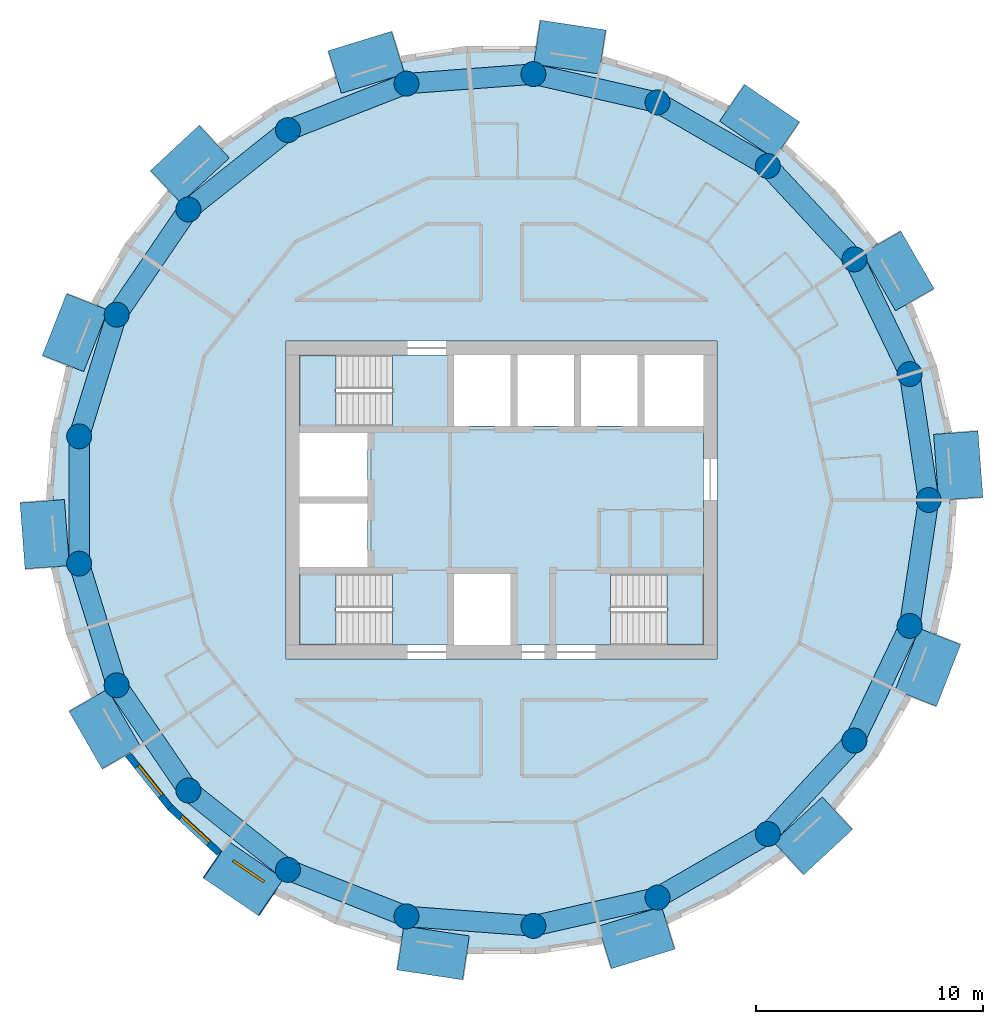
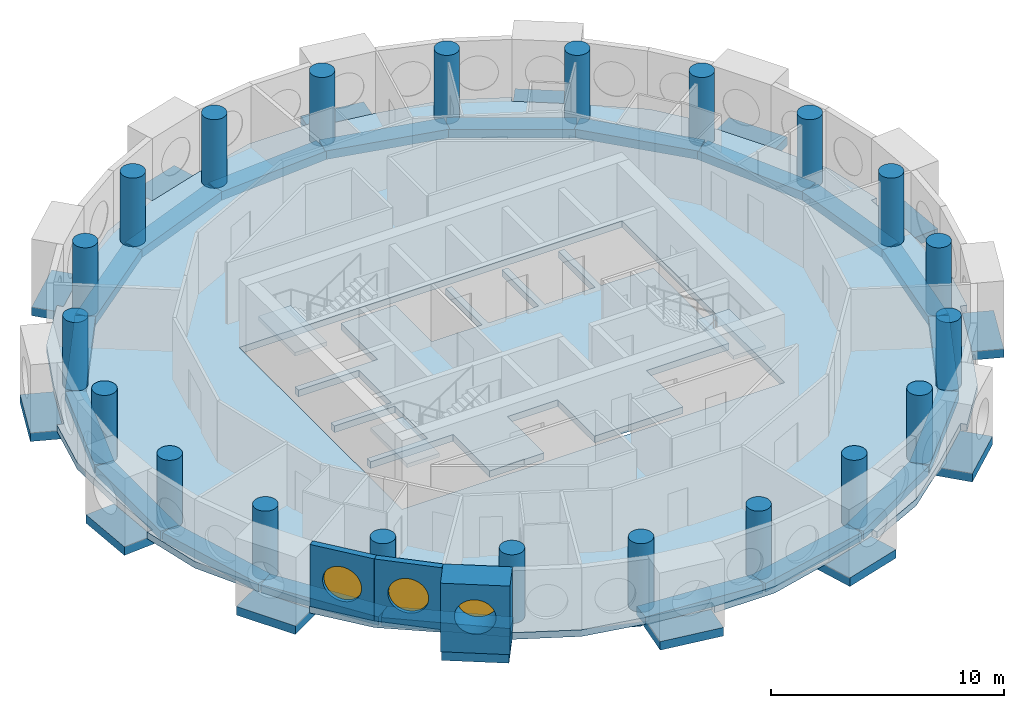
# One storey, part 1 of 13: 35 beams, 21 columns, 5 slabs, 3 walls, 3 windows, 3 openings, 3 elements without a shape of their own.
"""IFC4 building model written with IfcOpenShell, lengths in metres."""

from ifc_helpers import new_model, si_unit, direction, frame, frame_2d, origin, origin_2d, place, context, subcontext, project, spatial, polyline, rectangle, circle, outline, extrude, material, layer, layer_set, material_profile, profile_set, type_object, element, fill, aggregate, save


model = new_model("IFC4")

# Units and contexts
model_context = context("Model", 3, precision=1e-05, world=origin(), true_north=direction((0.0, 1.0)))
body_context = subcontext(model_context, "Body", "Model", "MODEL_VIEW")
ifc_project = project(units=[si_unit("LENGTHUNIT", "METRE"), si_unit("AREAUNIT", "SQUARE_METRE"), si_unit("VOLUMEUNIT", "CUBIC_METRE"), si_unit("PLANEANGLEUNIT", "RADIAN"), si_unit("MASSUNIT", "GRAM", prefix="KILO")], contexts=[model_context])

# Site, building, storey
site_placement = place(None, origin())
site = spatial("IfcSite", under=ifc_project, at=site_placement, CompositionType="ELEMENT")
building_placement = place(site_placement, origin())
building = spatial("IfcBuilding", under=site, at=building_placement, Name="Tracery Tower", CompositionType="ELEMENT")
storey_placement = place(building_placement, frame((0.0, 0.0, 252.60009765625)))
storey = spatial("IfcBuildingStorey", under=building, at=storey_placement, Name="L65", CompositionType="ELEMENT", Elevation=252.60009765625)

# Columns
ifc_material_1 = material(Name="Concrete C40/50", Category="concrete")
ifc_material_profile_1 = material_profile(ifc_material_1, circle(Radius=0.550048828125, at=origin_2d()), Name="RC D1100")
ifc_profile_set_1 = profile_set([ifc_material_profile_1], Name="Concrete C40/50")
column_type = type_object("IfcColumnType", Name="Ring 2 column 1100", PredefinedType="COLUMN", material=ifc_profile_set_1)
for number, where, z_axis, x_axis, name in (
    (1, (18.822265625, 0.0, 0.0), (0.0, 0.0, 1.0), (1.0, 0.0, 0.0), "Ring 2 column 00 at L65"),
    (2, (17.986083984375, 5.5478515625, 0.0), (0.0, 0.0, 1.0), (1.0, 0.0, 0.0), "Ring 2 column 01 at L65"),
    (3, (15.551513671875, 10.602783203125, 0.0), (0.0, 0.0, 1.0), (1.0, 0.0, 0.0), "Ring 2 column 02 at L65"),
    (4, (11.7353515625, 14.7158203125, 0.0), (0.0, 0.0, 1.0), (1.0, 0.0, 0.0), "Ring 2 column 03 at L65"),
    (5, (6.87646484375, 17.52099609375, 0.0), (0.0, 0.0, 1.0), (1.0, 0.0, 0.0), "Ring 2 column 04 at L65"),
    (6, (1.406494140625, 18.76953125, 0.0), (0.0, 0.0, 1.0), (1.0, 0.0, 0.0), "Ring 2 column 05 at L65"),
    (7, (-4.188232421875, 18.350341796875, 0.0), (0.0, 0.0, 1.0), (1.0, 0.0, 0.0), "Ring 2 column 06 at L65"),
    (8, (-9.4111328125, 16.300537109375, 0.0), (0.0, 0.0, 1.0), (1.0, 0.0, 0.0), "Ring 2 column 07 at L65"),
    (9, (-13.797607421875, 12.802490234375, 0.0), (0.0, 0.0, 1.0), (1.0, 0.0, 0.0), "Ring 2 column 08 at L65"),
    (10, (-16.958251953125, 8.16650390625, 0.0), (0.0, 0.0, 1.0), (1.0, 0.0, 0.0), "Ring 2 column 09 at L65"),
    (11, (-18.612060546875, 2.805419921875, 0.0), (0.0, 0.0, 1.0), (1.0, 0.0, 0.0), "Ring 2 column 10 at L65"),
    (12, (-18.612060546875, -2.805419921875, 0.0), (0.0, 0.0, 1.0), (1.0, 0.0, 0.0), "Ring 2 column 11 at L65"),
    (13, (-16.958251953125, -8.166748046875, 0.0), (0.0, 0.0, 1.0), (1.0, 0.0, 0.0), "Ring 2 column 12 at L65"),
    (14, (-13.797607421875, -12.80224609375, 0.0), (0.0, 0.0, 1.0), (1.0, 0.0, 0.0), "Ring 2 column 13 at L65"),
    (15, (-9.4111328125, -16.300537109375, 0.0), (0.0, 0.0, 1.0), (1.0, 0.0, 0.0), "Ring 2 column 14 at L65"),
    (16, (-4.188232421875, -18.350341796875, 0.0), (0.0, 0.0, 1.0), (1.0, 0.0, 0.0), "Ring 2 column 15 at L65"),
    (17, (1.406494140625, -18.76953125, 0.0), (0.0, 0.0, 1.0), (1.0, 0.0, 0.0), "Ring 2 column 16 at L65"),
    (18, (6.87646484375, -17.52099609375, 0.0), (0.0, 0.0, 1.0), (1.0, 0.0, 0.0), "Ring 2 column 17 at L65"),
    (19, (11.7353515625, -14.7158203125, 0.0), (0.0, 0.0, 1.0), (1.0, 0.0, 0.0), "Ring 2 column 18 at L65"),
    (20, (15.551513671875, -10.602783203125, 0.0), (0.0, 0.0, 1.0), (1.0, 0.0, 0.0), "Ring 2 column 19 at L65"),
    (21, (17.986083984375, -5.5478515625, 0.0), (0.0, 0.0, 1.0), (1.0, 0.0, 0.0), "Ring 2 column 20 at L65"),
):
    element("IfcColumn", number, at=place(storey_placement, frame(where, z_axis=z_axis, x_axis=x_axis)), inside=storey, type_object=column_type, Name=name, PredefinedType="COLUMN", context=body_context, shape_type="SweptSolid", body=[
        extrude(circle(Radius=0.550048828125, at=origin_2d()), origin(), (0.0, 0.0, 1.0), 3.599853515625),
    ])

# Beams
ifc_material_2 = material(Name="Concrete C40/50", Category="concrete")
ifc_material_profile_2 = material_profile(ifc_material_2, rectangle(XDim=1.9599609375, YDim=0.449951171875, at=origin_2d()), Name="RC 1960x450")
ifc_profile_set_2 = profile_set([ifc_material_profile_2], Name="Concrete C40/50")
beam_type_1 = type_object("IfcBeamType", Name="Bay seat beam 1960 x 450", PredefinedType="BEAM", material=ifc_profile_set_2)
for number, where, z_axis, x_axis, name in (
    (22, (20.23876953125, 0.052490234375, -0.5751953125), (-0.074746299058, 0.997202582617, 0.0), (-0.997202582617, -0.074746299058, 0.0), "Bay seat beam 1 at L65"),
    (23, (18.211669921875, 8.82861328125, -0.5751953125), (-0.49998782916, 0.866032430508, 0.0), (-0.866032430508, -0.49998782916, 0.0), "Bay seat beam 4 at L65"),
):
    element("IfcBeam", number, at=place(storey_placement, frame(where, z_axis=z_axis, x_axis=x_axis)), inside=storey, type_object=beam_type_1, Name=name, PredefinedType="BEAM", context=body_context, shape_type="SweptSolid", body=[
        extrude(rectangle(XDim=1.9599609375, YDim=0.449951171875, at=origin_2d()), origin(), (0.0, 0.0, 1.0), 2.919921875),
    ])
beam_1_placement = place(storey_placement, frame((12.57763671875, 15.85595703125, -0.5751953125), z_axis=(-0.826243261144, 0.56331347704, 0.0), x_axis=(-0.56331347704, -0.826243261144, 0.0)))
element("IfcBeam", 24, at=beam_1_placement, inside=storey, type_object=beam_type_1, Name="Bay seat beam 7 at L65", PredefinedType="BEAM", context=body_context, shape_type="SweptSolid", body=[
    extrude(rectangle(XDim=1.9599609375, YDim=0.449951171875, at=origin_2d()), origin(), (0.0, 0.0, 1.0), 2.920166015625),
])
for number, where, z_axis, x_axis, name in (
    (25, (4.4521484375, 19.742919921875, -0.5751953125), (-0.988824450672, 0.149084559069, 0.0), (-0.149084559069, -0.988824450672, 0.0), "Bay seat beam 10 at L65"),
    (26, (-4.554931640625, 19.7197265625, -0.5751953125), (-0.955550927928, -0.294826091343, 0.0), (0.294826091343, -0.955550927928, 0.0), "Bay seat beam 13 at L65"),
):
    element("IfcBeam", number, at=place(storey_placement, frame(where, z_axis=z_axis, x_axis=x_axis)), inside=storey, type_object=beam_type_1, Name=name, PredefinedType="BEAM", context=body_context, shape_type="SweptSolid", body=[
        extrude(rectangle(XDim=1.9599609375, YDim=0.449951171875, at=origin_2d()), origin(), (0.0, 0.0, 1.0), 2.919921875),
    ])
for number, where, z_axis, x_axis, name in (
    (27, (-12.65966796875, 15.79052734375, -0.5751953125), (-0.733073344016, -0.680149595526, 0.0), (0.680149595526, -0.733073344016, 0.0), "Bay seat beam 16 at L65"),
    (28, (-18.25732421875, 8.73388671875, -0.5751953125), (-0.365285021376, -0.930895726254, 0.0), (0.930895726254, -0.365285021376, 0.0), "Bay seat beam 19 at L65"),
):
    element("IfcBeam", number, at=place(storey_placement, frame(where, z_axis=z_axis, x_axis=x_axis)), inside=storey, type_object=beam_type_1, Name=name, PredefinedType="BEAM", context=body_context, shape_type="SweptSolid", body=[
        extrude(rectangle(XDim=1.9599609375, YDim=0.449951171875, at=origin_2d()), origin(), (0.0, 0.0, 1.0), 2.920166015625),
    ])
for number, where, z_axis, x_axis, name in (
    (29, (-20.23876953125, -0.052490234375, -0.5751953125), (0.074746299058, -0.997202582617, 0.0), (0.997202582617, 0.074746299058, 0.0), "Bay seat beam 22 at L65"),
    (30, (-18.211669921875, -8.82861328125, -0.5751953125), (0.49998782916, -0.866032430508, 0.0), (0.866032430508, 0.49998782916, 0.0), "Bay seat beam 25 at L65"),
):
    element("IfcBeam", number, at=place(storey_placement, frame(where, z_axis=z_axis, x_axis=x_axis)), inside=storey, type_object=beam_type_1, Name=name, PredefinedType="BEAM", context=body_context, shape_type="SweptSolid", body=[
        extrude(rectangle(XDim=1.9599609375, YDim=0.449951171875, at=origin_2d()), origin(), (0.0, 0.0, 1.0), 2.919921875),
    ])
beam_2_placement = place(storey_placement, frame((-12.57763671875, -15.85595703125, -0.5751953125), z_axis=(0.826243261144, -0.56331347704, 0.0), x_axis=(0.56331347704, 0.826243261144, 0.0)))
element("IfcBeam", 31, at=beam_2_placement, inside=storey, type_object=beam_type_1, Name="Bay seat beam 28 at L65", PredefinedType="BEAM", context=body_context, shape_type="SweptSolid", body=[
    extrude(rectangle(XDim=1.9599609375, YDim=0.449951171875, at=origin_2d()), origin(), (0.0, 0.0, 1.0), 2.920166015625),
])
for number, where, z_axis, x_axis, name in (
    (32, (-4.4521484375, -19.742919921875, -0.5751953125), (0.988824450672, -0.149084559069, 0.0), (0.149084559069, 0.988824450672, 0.0), "Bay seat beam 31 at L65"),
    (33, (4.554931640625, -19.7197265625, -0.5751953125), (0.955550927928, 0.294826091343, 0.0), (-0.294826091343, 0.955550927928, 0.0), "Bay seat beam 34 at L65"),
):
    element("IfcBeam", number, at=place(storey_placement, frame(where, z_axis=z_axis, x_axis=x_axis)), inside=storey, type_object=beam_type_1, Name=name, PredefinedType="BEAM", context=body_context, shape_type="SweptSolid", body=[
        extrude(rectangle(XDim=1.9599609375, YDim=0.449951171875, at=origin_2d()), origin(), (0.0, 0.0, 1.0), 2.919921875),
    ])
for number, where, z_axis, x_axis, name in (
    (34, (12.65966796875, -15.79052734375, -0.5751953125), (0.733073344016, 0.680149595526, 0.0), (-0.680149595526, 0.733073344016, 0.0), "Bay seat beam 37 at L65"),
    (35, (18.25732421875, -8.73388671875, -0.5751953125), (0.365285021376, 0.930895726254, 0.0), (-0.930895726254, 0.365285021376, 0.0), "Bay seat beam 40 at L65"),
):
    element("IfcBeam", number, at=place(storey_placement, frame(where, z_axis=z_axis, x_axis=x_axis)), inside=storey, type_object=beam_type_1, Name=name, PredefinedType="BEAM", context=body_context, shape_type="SweptSolid", body=[
        extrude(rectangle(XDim=1.9599609375, YDim=0.449951171875, at=origin_2d()), origin(), (0.0, 0.0, 1.0), 2.920166015625),
    ])
ifc_material_3 = material(Name="Concrete C40/50", Category="concrete")
ifc_material_profile_3 = material_profile(ifc_material_3, rectangle(XDim=0.89990234375, YDim=0.449951171875, at=origin_2d()), Name="RC 900x450")
ifc_profile_set_3 = profile_set([ifc_material_profile_3], Name="Concrete C40/50")
beam_type_2 = type_object("IfcBeamType", Name="Perimeter band beam 900x450", PredefinedType="BEAM", material=ifc_profile_set_3)
for number, where, z_axis, x_axis, name in (
    (36, (18.822265625, 0.0, -0.5751953125), (-0.149038355855, 0.988831415603, 0.0), (-0.988831415603, -0.149038355855, 0.0), "Perimeter beam 2.00 under L65"),
    (37, (17.986083984375, 5.5478515625, -0.5751953125), (-0.433918973155, 0.900951899235, 0.0), (-0.900951899235, -0.433918973155, 0.0), "Perimeter beam 2.01 under L65"),
):
    element("IfcBeam", number, at=place(storey_placement, frame(where, z_axis=z_axis, x_axis=x_axis)), inside=storey, type_object=beam_type_2, Name=name, PredefinedType="BEAM", context=body_context, shape_type="SweptSolid", body=[
        extrude(rectangle(XDim=0.89990234375, YDim=0.449951171875, at=origin_2d()), origin(), (0.0, 0.0, 1.0), 5.610595703125),
    ])
beam_3_placement = place(storey_placement, frame((15.551513671875, 10.602783203125, -0.5751953125), z_axis=(-0.680155630824, 0.733067744386, 0.0), x_axis=(-0.733067744386, -0.680155630824, 0.0)))
element("IfcBeam", 38, at=beam_3_placement, inside=storey, type_object=beam_type_2, Name="Perimeter beam 2.02 under L65", PredefinedType="BEAM", context=body_context, shape_type="SweptSolid", body=[
    extrude(rectangle(XDim=0.89990234375, YDim=0.449951171875, at=origin_2d()), origin(), (0.0, 0.0, 1.0), 5.61083984375),
])
for number, where, z_axis, x_axis, name in (
    (39, (11.7353515625, 14.7158203125, -0.5751953125), (-0.866033412818, 0.49998612769, 0.0), (-0.49998612769, -0.866033412818, 0.0), "Perimeter beam 2.03 under L65"),
    (40, (6.87646484375, 17.52099609375, -0.5751953125), (-0.974925977366, 0.222529410768, 0.0), (-0.222529410768, -0.974925977366, 0.0), "Perimeter beam 2.04 under L65"),
):
    element("IfcBeam", number, at=place(storey_placement, frame(where, z_axis=z_axis, x_axis=x_axis)), inside=storey, type_object=beam_type_2, Name=name, PredefinedType="BEAM", context=body_context, shape_type="SweptSolid", body=[
        extrude(rectangle(XDim=0.89990234375, YDim=0.449951171875, at=origin_2d()), origin(), (0.0, 0.0, 1.0), 5.610595703125),
    ])
beam_4_placement = place(storey_placement, frame((1.406494140625, 18.76953125, -0.5751953125), z_axis=(-0.997204824387, -0.07471638521, 0.0), x_axis=(0.07471638521, -0.997204824387, 0.0)))
element("IfcBeam", 41, at=beam_4_placement, inside=storey, type_object=beam_type_2, Name="Perimeter beam 2.05 under L65", PredefinedType="BEAM", context=body_context, shape_type="SweptSolid", body=[
    extrude(rectangle(XDim=0.89990234375, YDim=0.449951171875, at=origin_2d()), origin(), (0.0, 0.0, 1.0), 5.6103515625),
])
beam_5_placement = place(storey_placement, frame((-4.188232421875, 18.350341796875, -0.5751953125), z_axis=(-0.930875728468, -0.365335979817, 0.0), x_axis=(0.365335979817, -0.930875728468, 0.0)))
element("IfcBeam", 42, at=beam_5_placement, inside=storey, type_object=beam_type_2, Name="Perimeter beam 2.06 under L65", PredefinedType="BEAM", context=body_context, shape_type="SweptSolid", body=[
    extrude(rectangle(XDim=0.89990234375, YDim=0.449951171875, at=origin_2d()), origin(), (0.0, 0.0, 1.0), 5.61083984375),
])
beam_6_placement = place(storey_placement, frame((-9.4111328125, 16.300537109375, -0.5751953125), z_axis=(-0.781835817725, -0.623484365579, 0.0), x_axis=(0.623484365579, -0.781835817725, 0.0)))
element("IfcBeam", 43, at=beam_6_placement, inside=storey, type_object=beam_type_2, Name="Perimeter beam 2.07 under L65", PredefinedType="BEAM", context=body_context, shape_type="SweptSolid", body=[
    extrude(rectangle(XDim=0.89990234375, YDim=0.449951171875, at=origin_2d()), origin(), (0.0, 0.0, 1.0), 5.610595703125),
])
beam_7_placement = place(storey_placement, frame((-13.797607421875, 12.802490234375, -0.5751953125), z_axis=(-0.563305770578, -0.826248515178, 0.0), x_axis=(0.826248515178, -0.563305770578, 0.0)))
element("IfcBeam", 44, at=beam_7_placement, inside=storey, type_object=beam_type_2, Name="Perimeter beam 2.08 under L65", PredefinedType="BEAM", context=body_context, shape_type="SweptSolid", body=[
    extrude(rectangle(XDim=0.89990234375, YDim=0.449951171875, at=origin_2d()), origin(), (0.0, 0.0, 1.0), 5.61083984375),
])
beam_8_placement = place(storey_placement, frame((-16.958251953125, 8.16650390625, -0.5751953125), z_axis=(-0.294776851839, -0.955566118916, 0.0), x_axis=(0.955566118916, -0.294776851839, 0.0)))
element("IfcBeam", 45, at=beam_8_placement, inside=storey, type_object=beam_type_2, Name="Perimeter beam 2.09 under L65", PredefinedType="BEAM", context=body_context, shape_type="SweptSolid", body=[
    extrude(rectangle(XDim=0.89990234375, YDim=0.449951171875, at=origin_2d()), origin(), (0.0, 0.0, 1.0), 5.6103515625),
])
beam_9_placement = place(storey_placement, frame((-18.612060546875, 2.805419921875, -0.5751953125), z_axis=(0.0, -1.0, 0.0), x_axis=(1.0, 0.0, 0.0)))
element("IfcBeam", 46, at=beam_9_placement, inside=storey, type_object=beam_type_2, Name="Perimeter beam 2.10 under L65", PredefinedType="BEAM", context=body_context, shape_type="SweptSolid", body=[
    extrude(rectangle(XDim=0.89990234375, YDim=0.449951171875, at=origin_2d()), origin(), (0.0, 0.0, 1.0), 5.61083984375),
])
for number, where, z_axis, x_axis, name in (
    (47, (-18.612060546875, -2.805419921875, -0.5751953125), (0.294764594813, -0.955569899926, 0.0), (0.955569899926, 0.294764594813, 0.0), "Perimeter beam 2.11 under L65"),
    (48, (-16.958251953125, -8.166748046875, -0.5751953125), (0.5633462764, -0.826220898348, 0.0), (0.826220898348, 0.5633462764, 0.0), "Perimeter beam 2.12 under L65"),
    (49, (-13.797607421875, -12.80224609375, -0.5751953125), (0.781814605872, -0.623510963853, 0.0), (0.623510963853, 0.781814605872, 0.0), "Perimeter beam 2.13 under L65"),
):
    element("IfcBeam", number, at=place(storey_placement, frame(where, z_axis=z_axis, x_axis=x_axis)), inside=storey, type_object=beam_type_2, Name=name, PredefinedType="BEAM", context=body_context, shape_type="SweptSolid", body=[
        extrude(rectangle(XDim=0.89990234375, YDim=0.449951171875, at=origin_2d()), origin(), (0.0, 0.0, 1.0), 5.610595703125),
    ])
beam_10_placement = place(storey_placement, frame((-9.4111328125, -16.300537109375, -0.5751953125), z_axis=(0.930875728468, -0.365335979817, 0.0), x_axis=(0.365335979817, 0.930875728468, 0.0)))
element("IfcBeam", 50, at=beam_10_placement, inside=storey, type_object=beam_type_2, Name="Perimeter beam 2.14 under L65", PredefinedType="BEAM", context=body_context, shape_type="SweptSolid", body=[
    extrude(rectangle(XDim=0.89990234375, YDim=0.449951171875, at=origin_2d()), origin(), (0.0, 0.0, 1.0), 5.61083984375),
])
beam_11_placement = place(storey_placement, frame((-4.188232421875, -18.350341796875, -0.5751953125), z_axis=(0.997204824387, -0.07471638521, 0.0), x_axis=(0.07471638521, 0.997204824387, 0.0)))
element("IfcBeam", 51, at=beam_11_placement, inside=storey, type_object=beam_type_2, Name="Perimeter beam 2.15 under L65", PredefinedType="BEAM", context=body_context, shape_type="SweptSolid", body=[
    extrude(rectangle(XDim=0.89990234375, YDim=0.449951171875, at=origin_2d()), origin(), (0.0, 0.0, 1.0), 5.6103515625),
])
for number, where, z_axis, x_axis, name in (
    (52, (1.406494140625, -18.76953125, -0.5751953125), (0.974925977366, 0.222529410768, 0.0), (-0.222529410768, 0.974925977366, 0.0), "Perimeter beam 2.16 under L65"),
    (53, (6.87646484375, -17.52099609375, -0.5751953125), (0.866033412818, 0.49998612769, 0.0), (-0.49998612769, 0.866033412818, 0.0), "Perimeter beam 2.17 under L65"),
):
    element("IfcBeam", number, at=place(storey_placement, frame(where, z_axis=z_axis, x_axis=x_axis)), inside=storey, type_object=beam_type_2, Name=name, PredefinedType="BEAM", context=body_context, shape_type="SweptSolid", body=[
        extrude(rectangle(XDim=0.89990234375, YDim=0.449951171875, at=origin_2d()), origin(), (0.0, 0.0, 1.0), 5.610595703125),
    ])
beam_12_placement = place(storey_placement, frame((11.7353515625, -14.7158203125, -0.5751953125), z_axis=(0.680155630824, 0.733067744386, 0.0), x_axis=(-0.733067744386, 0.680155630824, 0.0)))
element("IfcBeam", 54, at=beam_12_placement, inside=storey, type_object=beam_type_2, Name="Perimeter beam 2.18 under L65", PredefinedType="BEAM", context=body_context, shape_type="SweptSolid", body=[
    extrude(rectangle(XDim=0.89990234375, YDim=0.449951171875, at=origin_2d()), origin(), (0.0, 0.0, 1.0), 5.61083984375),
])
for number, where, z_axis, x_axis, name in (
    (55, (15.551513671875, -10.602783203125, -0.5751953125), (0.433918973155, 0.900951899235, 0.0), (-0.900951899235, 0.433918973155, 0.0), "Perimeter beam 2.19 under L65"),
    (56, (17.986083984375, -5.5478515625, -0.5751953125), (0.149038355855, 0.988831415603, 0.0), (-0.988831415603, 0.149038355855, 0.0), "Perimeter beam 2.20 under L65"),
):
    element("IfcBeam", number, at=place(storey_placement, frame(where, z_axis=z_axis, x_axis=x_axis)), inside=storey, type_object=beam_type_2, Name=name, PredefinedType="BEAM", context=body_context, shape_type="SweptSolid", body=[
        extrude(rectangle(XDim=0.89990234375, YDim=0.449951171875, at=origin_2d()), origin(), (0.0, 0.0, 1.0), 5.610595703125),
    ])

# Slabs
ifc_material_4 = material(Name="Concrete C40/50", Category="concrete")
ifc_layer_1 = layer(ifc_material_4, 0.35009765625)
ifc_layer_set_1 = layer_set([ifc_layer_1], Name="Core floor slab 350 C40")
slab_type_1 = type_object("IfcSlabType", Name="Core floor slab 350 C40", PredefinedType="FLOOR", material=ifc_layer_set_1)
slab_1_placement = place(storey_placement, frame((0.0, 0.0, -0.35009765625)))
element("IfcSlab", 57, at=slab_1_placement, inside=storey, type_object=slab_type_1, Name="L65 core floor 1", PredefinedType="FLOOR", context=body_context, shape_type="SweptSolid", body=[
    extrude(outline(polyline([(-4.800537109375, -3.25), (-8.89990234375, -3.25), (-8.89990234375, -2.949951171875), (-5.89990234375, -2.949951171875), (-5.89990234375, -0.14990234375), (-8.89990234375, -0.14990234375), (-8.89990234375, 0.14990234375), (-5.89990234375, 0.14990234375), (-5.89990234375, 2.949951171875), (-8.89990234375, 2.949951171875), (-8.89990234375, 3.25), (-4.800537109375, 3.25), (-4.800537109375, 6.39990234375), (-2.10009765625, 6.39990234375), (-2.10009765625, 3.25), (0.39990234375, 3.25), (0.39990234375, 6.39990234375), (0.699951171875, 6.39990234375), (0.699951171875, 3.25), (3.199951171875, 3.25), (3.199951171875, 6.39990234375), (3.5, 6.39990234375), (3.5, 3.25), (6.0, 3.25), (6.0, 6.39990234375), (6.300048828125, 6.39990234375), (6.300048828125, 3.25), (8.89990234375, 3.25), (8.89990234375, -3.25), (4.800537109375, -3.25), (4.800537109375, -6.39990234375), (0.39990234375, -6.39990234375), (0.39990234375, -3.25), (-2.10009765625, -3.25), (-2.10009765625, -6.39990234375), (-4.800537109375, -6.39990234375), (-4.800537109375, -3.25)])), origin(), (0.0, 0.0, 1.0), 0.35009765625),
])
ifc_material_5 = material(Name="Concrete C40/50", Category="concrete")
ifc_layer_2 = layer(ifc_material_5, 0.35009765625)
ifc_layer_set_2 = layer_set([ifc_layer_2], Name="Floor slab 350")
slab_type_2 = type_object("IfcSlabType", Name="Floor slab 350", PredefinedType="FLOOR", material=ifc_layer_set_2)
slab_2_placement = place(storey_placement, frame((0.0, 0.0, -0.35009765625)))
element("IfcSlab", 58, at=slab_2_placement, inside=storey, type_object=slab_type_2, Name="Floor slab L65", PredefinedType="FLOOR", context=body_context, shape_type="SweptSolid", body=[
    extrude(outline(polyline([(19.550537109375, 2.94677734375), (19.548828125, 2.96923828125), (19.847900390625, 2.99169921875), (19.180419921875, 5.91650390625), (17.813720703125, 8.577880859375), (16.32470703125, 11.156982421875), (16.583984375, 11.306884765625), (16.58447265625, 11.30712890625), (14.714111328125, 13.652587890625), (12.3271484375, 15.4580078125), (9.8671875, 17.13525390625), (10.0361328125, 17.383056640625), (7.333251953125, 18.684814453125), (4.3994140625, 19.275634765625), (2.3466796875, 19.585205078125), (1.455322265625, 19.719482421875), (1.5, 20.01611328125), (1.5, 20.01611328125), (-1.5, 20.01611328125), (-4.3994140625, 19.275634765625), (-7.223388671875, 18.404541015625), (-7.223388671875, 18.404541015625), (-7.244873046875, 18.39794921875), (-7.333251953125, 18.684814453125), (-10.0361328125, 17.383056640625), (-12.3271484375, 15.4580078125), (-14.493408203125, 13.447998046875), (-14.493408203125, 13.447998046875), (-14.510009765625, 13.4326171875), (-14.714111328125, 13.652587890625), (-14.714111328125, 13.652587890625), (-16.58447265625, 11.30712890625), (-17.81298828125, 8.5791015625), (-18.901123046875, 5.806884765625), (-19.180419921875, 5.91650390625), (-19.847900390625, 2.99169921875), (-19.771484375, 0.000732421875), (-19.63720703125, -1.789306640625), (-19.550537109375, -2.94677734375), (-19.550537109375, -2.94677734375), (-19.548828125, -2.96923828125), (-19.847900390625, -2.99169921875), (-19.180419921875, -5.91650390625), (-17.813720703125, -8.577880859375), (-16.32470703125, -11.156982421875), (-16.583984375, -11.306884765625), (-16.58447265625, -11.30712890625), (-14.714111328125, -13.652587890625), (-12.3271484375, -15.4580078125), (-9.8671875, -17.13525390625), (-10.0361328125, -17.383056640625), (-7.333251953125, -18.684814453125), (-4.3994140625, -19.275634765625), (-2.3466796875, -19.585205078125), (-1.455322265625, -19.719482421875), (-1.5, -20.01611328125), (-1.5, -20.01611328125), (1.5, -20.01611328125), (4.3994140625, -19.275634765625), (7.223388671875, -18.404541015625), (7.223388671875, -18.404541015625), (7.244873046875, -18.39794921875), (7.333251953125, -18.684814453125), (10.0361328125, -17.383056640625), (12.3271484375, -15.4580078125), (14.493408203125, -13.447998046875), (14.493408203125, -13.447998046875), (14.510009765625, -13.4326171875), (14.714111328125, -13.652587890625), (14.714111328125, -13.652587890625), (16.58447265625, -11.30712890625), (17.81298828125, -8.5791015625), (18.901123046875, -5.806884765625), (19.180419921875, -5.91650390625), (19.847900390625, -2.99169921875), (19.771484375, -0.000732421875), (19.63720703125, 1.789306640625), (19.550537109375, 2.94677734375), (19.550537109375, 2.94677734375)]), holes=[polyline([(-9.5, -7.0), (9.5, -7.0), (9.5, 7.0), (-9.5, 7.0), (-9.5, -7.0)])]), origin(), (0.0, 0.0, 1.0), 0.35009765625),
])

# Stair, slab
ifc_material_6 = material(Name="Concrete C32/40", Category="concrete")
stair_type = type_object("IfcStairType", Name="Core stair 22 risers", PredefinedType="HALF_TURN_STAIR", material=ifc_material_6)
stair_1_placement = place(storey_placement, origin())
stair_1 = element("IfcStair", 59, at=stair_1_placement, inside=storey, type_object=stair_type, Name="L65 stair ST1", PredefinedType="HALF_TURN_STAIR")
ifc_material_7 = material(Name="Concrete C32/40", Category="concrete")
ifc_layer_3 = layer(ifc_material_7, 0.199951171875)
ifc_layer_set_3 = layer_set([ifc_layer_3], Name="Stair landing slab 200")
slab_type_3 = type_object("IfcSlabType", Name="Stair landing slab 200", PredefinedType="LANDING", material=ifc_layer_set_3)
slab_3_placement = place(storey_placement, frame((0.0, 0.0, 1.599853515625)))
slab_3 = element("IfcSlab", 60, at=slab_3_placement, type_object=slab_type_3, Name="ST1 landing 1", PredefinedType="LANDING", context=body_context, shape_type="SweptSolid", body=[
    extrude(outline(polyline([(-7.29931640625, -3.25), (-8.89990234375, -3.25), (-8.89990234375, -6.39990234375), (-7.29931640625, -6.39990234375), (-7.29931640625, -3.25)])), origin(), (0.0, 0.0, 1.0), 0.199951171875),
])
aggregate(stair_1, [slab_3])

stair_2_placement = place(storey_placement, origin())
stair_2 = element("IfcStair", 61, at=stair_2_placement, inside=storey, type_object=stair_type, Name="L65 stair ST3", PredefinedType="HALF_TURN_STAIR")
slab_4_placement = place(storey_placement, frame((0.0, 0.0, 1.599853515625)))
slab_4 = element("IfcSlab", 62, at=slab_4_placement, type_object=slab_type_3, Name="ST3 landing 1", PredefinedType="LANDING", context=body_context, shape_type="SweptSolid", body=[
    extrude(outline(polyline([(-7.29931640625, 6.39990234375), (-8.89990234375, 6.39990234375), (-8.89990234375, 3.25), (-7.29931640625, 3.25), (-7.29931640625, 6.39990234375)])), origin(), (0.0, 0.0, 1.0), 0.199951171875),
])
aggregate(stair_2, [slab_4])

stair_3_placement = place(storey_placement, origin())
stair_3 = element("IfcStair", 63, at=stair_3_placement, inside=storey, type_object=stair_type, Name="L65 stair ST2", PredefinedType="HALF_TURN_STAIR")
slab_5_placement = place(storey_placement, frame((0.0, 0.0, 1.599853515625)))
slab_5 = element("IfcSlab", 64, at=slab_5_placement, type_object=slab_type_3, Name="ST2 landing 1", PredefinedType="LANDING", context=body_context, shape_type="SweptSolid", body=[
    extrude(outline(polyline([(7.29931640625, -6.39990234375), (8.89990234375, -6.39990234375), (8.89990234375, -3.25), (7.29931640625, -3.25), (7.29931640625, -6.39990234375)])), origin(), (0.0, 0.0, 1.0), 0.199951171875),
])
aggregate(stair_3, [slab_5])

# Wall, opening, window
ifc_material_8 = material(Name="Precast concrete C50/60", Category="concrete")
ifc_layer_4 = layer(ifc_material_8, 1.449951171875)
ifc_layer_set_4 = layer_set([ifc_layer_4], Name="Deep-set bay unit 3000 x 3600, slab edge 350")
wall_type_1 = type_object("IfcWallType", Name="Deep-set bay unit 3000 x 3600, slab edge 350", PredefinedType="ELEMENTEDWALL", material=ifc_layer_set_4)
wall_1_placement = place(storey_placement, frame((-12.754150390625, -16.044189453125, -0.35009765625), z_axis=(0.0, 0.0, 1.0), x_axis=(0.826246281157, -0.563309047392, 0.0)))
wall_1 = element("IfcWall", 65, at=wall_1_placement, inside=storey, type_object=wall_type_1, Name="Deep-set bay unit 28 at L65", PredefinedType="ELEMENTEDWALL", context=body_context, shape_type="SweptSolid", body=[
    extrude(rectangle(XDim=3.0, YDim=1.449951171875, at=frame_2d((1.5, 0.0))), origin(), (0.0, 0.0, 1.0), 3.60009765625),
])
opening_1_placement = place(wall_1_placement, frame((1.5, 0.0, 1.89990234375)))
opening_1 = element("IfcOpeningElement", 66, at=opening_1_placement, cuts=wall_1, Name="Opening WN1", PredefinedType="OPENING", context=body_context, shape_type="SweptSolid", body=[
    extrude(circle(Radius=0.9000244140625, at=origin_2d()), frame((0.0, 0.73486328125, 0.0), z_axis=(0.0, -1.0, 0.0), x_axis=(1.0, 0.0, 0.0)), (0.0, 0.0, 1.0), 1.469970703125),
])
ifc_material_9 = material(Name="Aluminium frame with tinted double glazing", Category="aluminium")
window_type = type_object("IfcWindowType", Name="Round window 1800", PartitioningType="SINGLE_PANEL", PredefinedType="WINDOW", material=ifc_material_9)
window_1_placement = place(opening_1_placement, origin())
window_1 = element("IfcWindow", 67, at=window_1_placement, inside=storey, type_object=window_type, Name="Round window 28 at L65", OverallHeight=1.800048828125, OverallWidth=1.800048828125, PartitioningType="SINGLE_PANEL", PredefinedType="WINDOW", context=body_context, shape_type="SweptSolid", body=[
    extrude(circle(Radius=0.9000244140625, at=origin_2d()), frame((0.0, 0.69482421875, 0.0), z_axis=(0.0, -1.0, 0.0), x_axis=(1.0, 0.0, 0.0)), (0.0, 0.0, 1.0), 0.10009765625),
])
fill(opening_1, window_1)

ifc_material_10 = material(Name="Precast concrete C50/60", Category="concrete")
ifc_layer_5 = layer(ifc_material_10, 0.300048828125)
ifc_layer_set_5 = layer_set([ifc_layer_5], Name="Facade panel 3000 x 3250")
wall_type_2 = type_object("IfcWallType", Name="Facade panel 3000 x 3250", PredefinedType="SOLIDWALL", material=ifc_layer_set_5)
wall_2_placement = place(storey_placement, frame((-16.45068359375, -11.234375, 0.0), z_axis=(0.0, 0.0, 1.0), x_axis=(0.623498236992, -0.781824755599, 0.0)))
wall_2 = element("IfcWall", 68, at=wall_2_placement, inside=storey, type_object=wall_type_2, Name="Facade panel 26 at L65", PredefinedType="SOLIDWALL", context=body_context, shape_type="SweptSolid", body=[
    extrude(rectangle(XDim=2.962158203125, YDim=0.300048828125, at=frame_2d((1.48095703125, 0.0))), origin(), (0.0, 0.0, 1.0), 3.25),
])
opening_2_placement = place(wall_2_placement, frame((1.48095703125, 0.0, 1.5498046875)))
opening_2 = element("IfcOpeningElement", 69, at=opening_2_placement, cuts=wall_2, Name="Opening WN1", PredefinedType="OPENING", context=body_context, shape_type="SweptSolid", body=[
    extrude(circle(Radius=0.9000244140625, at=origin_2d()), frame((0.0, 0.159912109375, 0.0), z_axis=(0.0, -1.0, 0.0), x_axis=(1.0, 0.0, 0.0)), (0.0, 0.0, 1.0), 0.320068359375),
])
window_2_placement = place(opening_2_placement, origin())
window_2 = element("IfcWindow", 70, at=window_2_placement, inside=storey, type_object=window_type, Name="Round window 26 at L65", OverallHeight=1.800048828125, OverallWidth=1.800048828125, PartitioningType="SINGLE_PANEL", PredefinedType="WINDOW", context=body_context, shape_type="SweptSolid", body=[
    extrude(circle(Radius=0.9000244140625, at=origin_2d()), frame((0.0, 0.1201171875, 0.0), z_axis=(0.0, -1.0, 0.0), x_axis=(1.0, 0.0, 0.0)), (0.0, 0.0, 1.0), 0.10009765625),
])
fill(opening_2, window_2)

wall_3_placement = place(storey_placement, frame((-14.603759765625, -13.55029296875, 0.0), z_axis=(0.0, 0.0, 1.0), x_axis=(0.733066412643, -0.680157066165, 0.0)))
wall_3 = element("IfcWall", 71, at=wall_3_placement, inside=storey, type_object=wall_type_2, Name="Facade panel 27 at L65", PredefinedType="SOLIDWALL", context=body_context, shape_type="SweptSolid", body=[
    extrude(rectangle(XDim=2.96240234375, YDim=0.300048828125, at=frame_2d((1.481201171875, 0.0))), origin(), (0.0, 0.0, 1.0), 3.25),
])
opening_3_placement = place(wall_3_placement, frame((1.48095703125, 0.0, 1.5498046875)))
opening_3 = element("IfcOpeningElement", 72, at=opening_3_placement, cuts=wall_3, Name="Opening WN1", PredefinedType="OPENING", context=body_context, shape_type="SweptSolid", body=[
    extrude(circle(Radius=0.9000244140625, at=origin_2d()), frame((0.0, 0.159912109375, 0.0), z_axis=(0.0, -1.0, 0.0), x_axis=(1.0, 0.0, 0.0)), (0.0, 0.0, 1.0), 0.320068359375),
])
window_3_placement = place(opening_3_placement, origin())
window_3 = element("IfcWindow", 73, at=window_3_placement, inside=storey, type_object=window_type, Name="Round window 27 at L65", OverallHeight=1.800048828125, OverallWidth=1.800048828125, PartitioningType="SINGLE_PANEL", PredefinedType="WINDOW", context=body_context, shape_type="SweptSolid", body=[
    extrude(circle(Radius=0.9000244140625, at=origin_2d()), frame((0.0, 0.1201171875, 0.0), z_axis=(0.0, -1.0, 0.0), x_axis=(1.0, 0.0, 0.0)), (0.0, 0.0, 1.0), 0.10009765625),
])
fill(opening_3, window_3)

save(model, "model.ifc")
